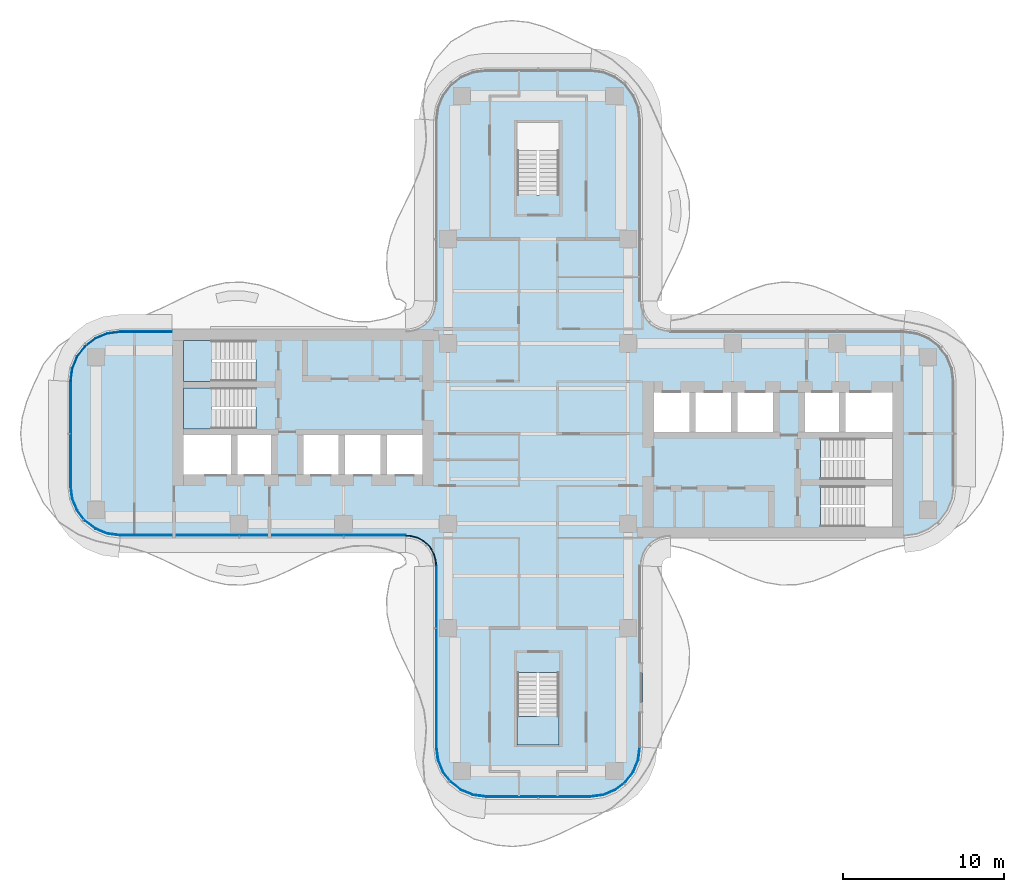
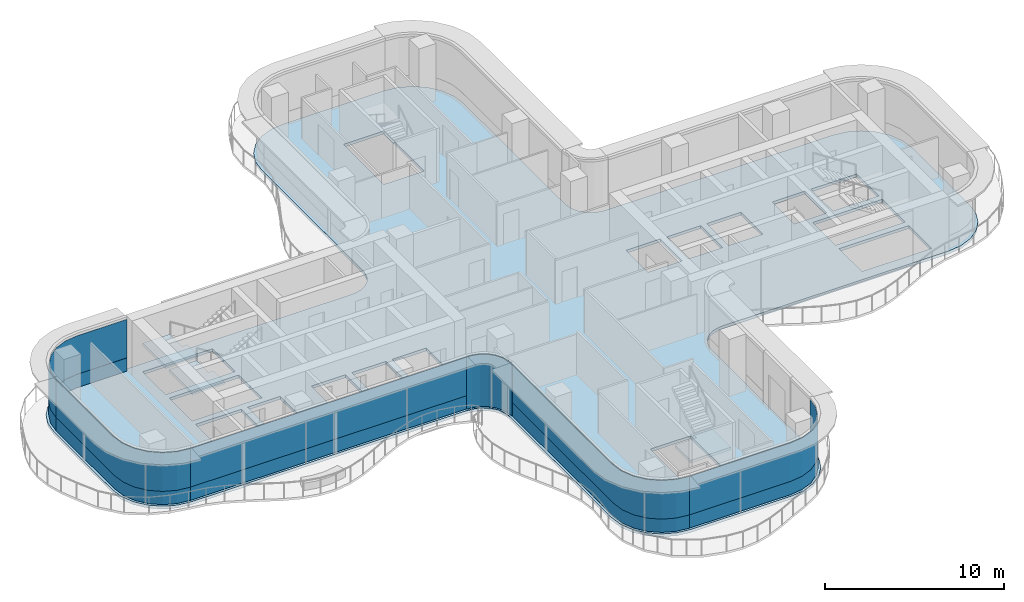
# One storey, part 8 of 16: 11 plates, 4 slabs, 9 elements without a shape of their own.
"""IFC4 building model written with IfcOpenShell, lengths in metres."""

import ifcopenshell
import ifcopenshell.guid

model = None  # the IFC model being written
_history = None  # IfcOwnerHistory: only IFC2X3 demands one
_inside = {}  # id of a spatial element -> (the spatial element, [elements in it])
_under = {}  # id of a project, library or spatial element -> (it, [spatial elements below it])
_declared = {}  # id of a project -> (the project, [libraries it declares])
_typed = {}  # id of a type object -> (the type object, [elements of that type])
_made_of = {}  # id of a material, layer set ... -> (it, [elements and type objects made of it])


def new_model(schema):
    """Start an empty IFC model of exactly this schema.

    Asked for "IFC4X3", IfcOpenShell would pick the latest addendum, in which some entities
    have other attributes; the version numbers below select the first issue.
    IFC2X3 requires an IfcOwnerHistory on every rooted entity: one is made here for all.
    """
    global model, _history
    if schema == "IFC4X3":
        model = ifcopenshell.file(schema_version=(4, 3, 0, 0))
    else:
        model = ifcopenshell.file(schema=schema)
    _inside.clear()
    _under.clear()
    _declared.clear()
    _typed.clear()
    _made_of.clear()
    _history = None
    if model.schema == "IFC2X3":
        org = make("IfcOrganization", Name="unknown")
        user = make(
            "IfcPersonAndOrganization",
            ThePerson=make("IfcPerson", FamilyName="unknown"),
            TheOrganization=org,
        )
        app = make(
            "IfcApplication",
            ApplicationDeveloper=org,
            Version="unknown",
            ApplicationFullName="unknown",
            ApplicationIdentifier="unknown",
        )
        _history = make(
            "IfcOwnerHistory",
            OwningUser=user,
            OwningApplication=app,
            ChangeAction="ADDED",
            CreationDate=0,
        )
    return model


def make(cls, **values):
    """One entity of the class cls with the attributes given. An attribute that is None is left unset."""
    return model.create_entity(
        cls, **{name: value for name, value in values.items() if value is not None}
    )


def rooted(cls, **values):
    """An entity with a GlobalId (a new one), such as an element, a storey or a relation."""
    return make(cls, GlobalId=ifcopenshell.guid.new(), OwnerHistory=_history, **values)


def si_unit(unit_type, name, prefix=None):
    """IfcSIUnit, for example si_unit("LENGTHUNIT", "METRE", prefix="MILLI")."""
    return make("IfcSIUnit", UnitType=unit_type, Prefix=prefix, Name=name)


def assignment(units):
    """IfcUnitAssignment: the units of a project."""
    return None if units is None else make("IfcUnitAssignment", Units=units)


def point(xyz):
    """IfcCartesianPoint."""
    return None if xyz is None else make("IfcCartesianPoint", Coordinates=xyz)


def direction(xyz):
    """IfcDirection."""
    return None if xyz is None else make("IfcDirection", DirectionRatios=xyz)


def frame(location, z_axis=None, x_axis=None):
    """IfcAxis2Placement3D, a coordinate frame: its origin and axes. An axis left out is left unset."""
    return make(
        "IfcAxis2Placement3D",
        Location=point(location),
        Axis=direction(z_axis),
        RefDirection=direction(x_axis),
    )


def origin():
    """The frame at (0, 0, 0) with its axes left unset."""
    return frame((0.0, 0.0, 0.0))


def place(relative_to, where):
    """IfcLocalPlacement: puts the frame where relative to a parent placement (None: the world)."""
    return make(
        "IfcLocalPlacement", PlacementRelTo=relative_to, RelativePlacement=where
    )


def context(
    kind, dimensions, precision=None, world=None, true_north=None, identifier=None
):
    """IfcGeometricRepresentationContext, for example the 3D "Model" context."""
    return make(
        "IfcGeometricRepresentationContext",
        ContextIdentifier=identifier,
        ContextType=kind,
        CoordinateSpaceDimension=dimensions,
        Precision=precision,
        WorldCoordinateSystem=world,
        TrueNorth=true_north,
    )


def subcontext(parent, identifier, kind, view, scale=None):
    """IfcGeometricRepresentationSubContext, for example "Body" below "Model"."""
    return make(
        "IfcGeometricRepresentationSubContext",
        ContextIdentifier=identifier,
        ContextType=kind,
        ParentContext=parent,
        TargetScale=scale,
        TargetView=view,
    )


def project(units=None, contexts=None):
    """IfcProject with its units and contexts."""
    return rooted(
        "IfcProject",
        Name="project",
        RepresentationContexts=contexts,
        UnitsInContext=assignment(units),
    )


def spatial(cls, under=None, at=None, **own):
    """A site, building, storey or space (cls), placed at a placement, below another one or the project."""
    s = rooted(cls, ObjectPlacement=at, **own)
    if under is not None:
        _under.setdefault(under.id(), (under, []))[1].append(s)
    return s


def polyline(points):
    """IfcPolyline through the points."""
    return make("IfcPolyline", Points=[point(p) for p in points])


def outline(outer, holes=None, kind="AREA"):
    """IfcArbitraryClosedProfileDef: a profile drawn as a closed curve; with holes, ...WithVoids."""
    if holes is None:
        return make("IfcArbitraryClosedProfileDef", ProfileType=kind, OuterCurve=outer)
    return make(
        "IfcArbitraryProfileDefWithVoids",
        ProfileType=kind,
        OuterCurve=outer,
        InnerCurves=holes,
    )


def extrude(swept, where, along, depth):
    """IfcExtrudedAreaSolid: the profile swept, set in the frame where, extruded along a direction by depth."""
    return make(
        "IfcExtrudedAreaSolid",
        SweptArea=swept,
        Position=where,
        ExtrudedDirection=direction(along),
        Depth=depth,
    )


def shape(context_of_items, identifier, shape_type, items):
    """IfcShapeRepresentation: the items that make up one representation, for example the "Body"."""
    return make(
        "IfcShapeRepresentation",
        ContextOfItems=context_of_items,
        RepresentationIdentifier=identifier,
        RepresentationType=shape_type,
        Items=items,
    )


def source(mapping_origin, context_of_items, identifier, shape_type, items):
    """IfcRepresentationMap: a shape defined once, which mapped items show again and again."""
    return make(
        "IfcRepresentationMap",
        MappingOrigin=mapping_origin,
        MappedRepresentation=shape(context_of_items, identifier, shape_type, items),
    )


def transform(
    local_origin,
    x_axis=None,
    y_axis=None,
    z_axis=None,
    scale=None,
    scale2=None,
    scale3=None,
    uniform=True,
):
    """IfcCartesianTransformationOperator3D, or its non-uniform kind. x_axis, y_axis, z_axis: its Axis1, 2, 3."""
    if uniform:
        return make(
            "IfcCartesianTransformationOperator3D",
            Axis1=direction(x_axis),
            Axis2=direction(y_axis),
            LocalOrigin=point(local_origin),
            Scale=scale,
            Axis3=direction(z_axis),
        )
    return make(
        "IfcCartesianTransformationOperator3DnonUniform",
        Axis1=direction(x_axis),
        Axis2=direction(y_axis),
        LocalOrigin=point(local_origin),
        Scale=scale,
        Axis3=direction(z_axis),
        Scale2=scale2,
        Scale3=scale3,
    )


def mapped(mapping_source, mapping_target):
    """IfcMappedItem: shows the shape of a source again, moved by a transform."""
    return make(
        "IfcMappedItem", MappingSource=mapping_source, MappingTarget=mapping_target
    )


def material(Name=None, Category=None):
    """IfcMaterial."""
    return make("IfcMaterial", Name=Name, Category=Category)


def layer(
    of_material, thickness, ventilated=None, Name=None, Category=None, Priority=None
):
    """IfcMaterialLayer: one layer of a wall or slab, of a material (None: an air gap)."""
    return make(
        "IfcMaterialLayer",
        Material=of_material,
        LayerThickness=thickness,
        IsVentilated=ventilated,
        Name=Name,
        Category=Category,
        Priority=Priority,
    )


def layer_set(layers, Name=None):
    """IfcMaterialLayerSet."""
    return make("IfcMaterialLayerSet", MaterialLayers=layers, LayerSetName=Name)


def made_of(thing, what):
    """Note that an element or type object is made of a material, layer set ...; save() writes the relation."""
    if what is not None:
        _made_of.setdefault(what.id(), (what, []))[1].append(thing)
    return thing


def type_object(cls, material=None, **own):
    """A type object (cls), such as IfcWallType, which elements share."""
    return made_of(rooted(cls, **own), material)


def element(
    cls,
    number,
    at=None,
    inside=None,
    cuts=None,
    type_object=None,
    material=None,
    context=None,
    identifier="Body",
    shape_type=None,
    held_by="IfcProductDefinitionShape",
    body=None,
    shapes=None,
    **own,
):
    """One element of the class cls, such as IfcWall. Its Tag is "e" and its number.

    at: its placement. inside: the storey or other place that contains it. cuts: it is an
    opening in that element (IfcRelVoidsElement). A single representation is given by context,
    identifier, shape_type and body (its items); several are given by shapes. held_by: the class
    of the entity that holds the representations. save() writes the other relations.
    """
    e = rooted(cls, Tag="e%d" % number, ObjectPlacement=at, **own)
    if body is not None:
        shapes = [shape(context, identifier, shape_type, body)]
    if shapes is not None:
        e.Representation = make(held_by, Representations=shapes)
    if inside is not None:
        _inside.setdefault(inside.id(), (inside, []))[1].append(e)
    if cuts is not None:
        rooted(
            "IfcRelVoidsElement", RelatingBuildingElement=cuts, RelatedOpeningElement=e
        )
    if type_object is not None:
        _typed.setdefault(type_object.id(), (type_object, []))[1].append(e)
    return made_of(e, material)


def aggregate(whole, parts):
    """IfcRelAggregates: a whole, such as a stair, and the parts it consists of."""
    return rooted("IfcRelAggregates", RelatingObject=whole, RelatedObjects=parts)


def save(model, path):
    """Write the relations noted so far, then the file.

    IfcRelAggregates (storeys below a building ...), IfcRelContainedInSpatialStructure (elements
    in a storey), IfcRelDefinesByType, IfcRelAssociatesMaterial and IfcRelDeclares: one each for
    every whole, place, type object, material and project.
    """
    for whole, parts in _under.values():
        aggregate(whole, parts)
    for where, things in _inside.values():
        rooted(
            "IfcRelContainedInSpatialStructure",
            RelatedElements=things,
            RelatingStructure=where,
        )
    for kind, things in _typed.values():
        rooted("IfcRelDefinesByType", RelatedObjects=things, RelatingType=kind)
    for what, things in _made_of.values():
        rooted("IfcRelAssociatesMaterial", RelatedObjects=things, RelatingMaterial=what)
    for by, libraries in _declared.values():
        rooted("IfcRelDeclares", RelatingContext=by, RelatedDefinitions=libraries)
    model.write(path)


model = new_model("IFC4")

# Units and contexts
model_context = context("Model", 3, precision=1e-05, world=origin(), true_north=direction((0.0, 1.0)))
body_context = subcontext(model_context, "Body", "Model", "MODEL_VIEW")
ifc_project = project(units=[si_unit("LENGTHUNIT", "METRE"), si_unit("AREAUNIT", "SQUARE_METRE"), si_unit("VOLUMEUNIT", "CUBIC_METRE"), si_unit("PLANEANGLEUNIT", "RADIAN"), si_unit("MASSUNIT", "GRAM", prefix="KILO")], contexts=[model_context])

# Site, building, storey
site_placement = place(None, origin())
site = spatial("IfcSite", under=ifc_project, at=site_placement, CompositionType="ELEMENT")
building_placement = place(site_placement, origin())
building = spatial("IfcBuilding", under=site, at=building_placement, Name="Trellis Farm Tower", CompositionType="ELEMENT")
storey_placement = place(building_placement, frame((0.0, 0.0, 251.89990234375)))
storey = spatial("IfcBuildingStorey", under=building, at=storey_placement, Name="L56", CompositionType="ELEMENT", Elevation=251.89990234375)

# Slab
ifc_material_1 = material(Name="Concrete C40/50", Category="concrete")
ifc_layer_1 = layer(ifc_material_1, 0.199951171875)
ifc_layer_set_1 = layer_set([ifc_layer_1], Name="Composite deck floor slab 200")
slab_type_1 = type_object("IfcSlabType", Name="Composite deck floor slab 200", PredefinedType="FLOOR", material=ifc_layer_set_1)
shared_shape_1 = source(origin(), body_context, "Body", "SweptSolid", [
    extrude(outline(polyline([(-26.84130859375, -6.389404296875), (-27.625, -6.064697265625), (-28.298095703125, -5.548095703125), (-28.814697265625, -4.875), (-29.139404296875, -4.09130859375), (-29.25, -3.25), (-29.25, 3.25), (-29.139404296875, 4.09130859375), (-28.814697265625, 4.875), (-28.298095703125, 5.548095703125), (-27.625, 6.064697265625), (-26.84130859375, 6.389404296875), (-26.0, 6.5), (-8.2314453125, 6.5), (-8.01953125, 6.513916015625), (-7.91552734375, 6.527587890625), (-7.508544921875, 6.63671875), (-7.144287109375, 6.846923828125), (-6.846923828125, 7.144287109375), (-6.63671875, 7.508544921875), (-6.527587890625, 7.91552734375), (-6.513916015625, 8.01953125), (-6.5, 8.2314453125), (-6.5, 19.5), (-6.389404296875, 20.34130859375), (-6.064697265625, 21.125), (-5.548095703125, 21.798095703125), (-4.875, 22.314697265625), (-4.09130859375, 22.639404296875), (-3.25, 22.75), (3.25, 22.75), (4.09130859375, 22.639404296875), (4.875, 22.314697265625), (5.548095703125, 21.798095703125), (6.064697265625, 21.125), (6.389404296875, 20.34130859375), (6.5, 19.5), (6.5, 8.2314453125), (6.513916015625, 8.01953125), (6.527587890625, 7.91552734375), (6.63671875, 7.508544921875), (6.846923828125, 7.144287109375), (7.144287109375, 6.846923828125), (7.508544921875, 6.63671875), (7.91552734375, 6.527587890625), (8.01953125, 6.513916015625), (8.2314453125, 6.5), (22.75, 6.5), (23.59130859375, 6.389404296875), (24.375, 6.064697265625), (25.048095703125, 5.548095703125), (25.564697265625, 4.875), (25.889404296875, 4.09130859375), (26.0, 3.25), (26.0, -3.25), (25.889404296875, -4.09130859375), (25.564697265625, -4.875), (25.048095703125, -5.548095703125), (24.375, -6.064697265625), (23.59130859375, -6.389404296875), (22.75, -6.5), (8.2314453125, -6.5), (8.01953125, -6.513916015625), (7.91552734375, -6.527587890625), (7.508544921875, -6.63671875), (7.144287109375, -6.846923828125), (6.846923828125, -7.144287109375), (6.63671875, -7.508544921875), (6.527587890625, -7.91552734375), (6.513916015625, -8.01953125), (6.5, -8.2314453125), (6.5, -19.5), (6.389404296875, -20.34130859375), (6.064697265625, -21.125), (5.548095703125, -21.798095703125), (4.875, -22.314697265625), (4.09130859375, -22.639404296875), (3.25, -22.75), (-3.25, -22.75), (-4.09130859375, -22.639404296875), (-4.875, -22.314697265625), (-5.548095703125, -21.798095703125), (-6.064697265625, -21.125), (-6.389404296875, -20.34130859375), (-6.5, -19.5), (-6.5, -8.2314453125), (-6.513916015625, -8.01953125), (-6.527587890625, -7.91552734375), (-6.63671875, -7.508544921875), (-6.846923828125, -7.144287109375), (-7.144287109375, -6.846923828125), (-7.508544921875, -6.63671875), (-7.91552734375, -6.527587890625), (-8.01953125, -6.513916015625), (-8.2314453125, -6.5), (-26.0, -6.5), (-26.84130859375, -6.389404296875)]), holes=[polyline([(-22.050048828125, -0.10009765625), (-22.050048828125, -2.550048828125), (-19.10009765625, -2.550048828125), (-19.10009765625, -0.10009765625), (-22.050048828125, -0.10009765625)]), polyline([(-18.699951171875, -0.10009765625), (-18.699951171875, -2.550048828125), (-16.60009765625, -2.550048828125), (-16.60009765625, -0.10009765625), (-18.699951171875, -0.10009765625)]), polyline([(-14.60009765625, -0.10009765625), (-14.60009765625, -2.550048828125), (-12.39990234375, -2.550048828125), (-12.39990234375, -0.10009765625), (-14.60009765625, -0.10009765625)]), polyline([(-12.0, -0.10009765625), (-12.0, -2.550048828125), (-9.800048828125, -2.550048828125), (-9.800048828125, -0.10009765625), (-12.0, -0.10009765625)]), polyline([(-9.39990234375, -0.10009765625), (-9.39990234375, -2.550048828125), (-7.199951171875, -2.550048828125), (-7.199951171875, -0.10009765625), (-9.39990234375, -0.10009765625)]), polyline([(-17.56201171875, 1.64990234375), (-17.56201171875, 2.85009765625), (-22.050048828125, 2.85009765625), (-22.050048828125, 0.300048828125), (-17.56005859375, 0.300048828125), (-17.56005859375, 1.5), (-17.550048828125, 1.5), (-17.550048828125, 1.64990234375), (-17.56201171875, 1.64990234375)]), polyline([(-17.56201171875, 4.60009765625), (-17.56201171875, 5.800048828125), (-22.050048828125, 5.800048828125), (-22.050048828125, 3.25), (-17.56005859375, 3.25), (-17.56005859375, 4.449951171875), (-17.550048828125, 4.449951171875), (-17.550048828125, 4.60009765625), (-17.56201171875, 4.60009765625)]), polyline([(0.10009765625, 14.862060546875), (1.300048828125, 14.862060546875), (1.300048828125, 19.35009765625), (-1.300048828125, 19.35009765625), (-1.300048828125, 14.860107421875), (-0.10009765625, 14.860107421875), (-0.10009765625, 14.85009765625), (0.10009765625, 14.85009765625), (0.10009765625, 14.862060546875)]), polyline([(-0.10009765625, -14.862060546875), (-1.300048828125, -14.862060546875), (-1.300048828125, -19.35009765625), (1.300048828125, -19.35009765625), (1.300048828125, -14.860107421875), (0.10009765625, -14.860107421875), (0.10009765625, -14.85009765625), (-0.10009765625, -14.85009765625), (-0.10009765625, -14.862060546875)]), polyline([(17.56201171875, -4.60009765625), (17.56201171875, -5.800048828125), (22.050048828125, -5.800048828125), (22.050048828125, -3.25), (17.56005859375, -3.25), (17.56005859375, -4.449951171875), (17.550048828125, -4.449951171875), (17.550048828125, -4.60009765625), (17.56201171875, -4.60009765625)]), polyline([(17.56201171875, -1.64990234375), (17.56201171875, -2.85009765625), (22.050048828125, -2.85009765625), (22.050048828125, -0.300048828125), (17.56005859375, -0.300048828125), (17.56005859375, -1.5), (17.550048828125, -1.5), (17.550048828125, -1.64990234375), (17.56201171875, -1.64990234375)]), polyline([(9.39990234375, 0.10009765625), (9.39990234375, 2.550048828125), (7.199951171875, 2.550048828125), (7.199951171875, 0.10009765625), (9.39990234375, 0.10009765625)]), polyline([(12.0, 0.10009765625), (12.0, 2.550048828125), (9.800048828125, 2.550048828125), (9.800048828125, 0.10009765625), (12.0, 0.10009765625)]), polyline([(14.60009765625, 0.10009765625), (14.60009765625, 2.550048828125), (12.39990234375, 2.550048828125), (12.39990234375, 0.10009765625), (14.60009765625, 0.10009765625)]), polyline([(18.699951171875, 0.10009765625), (18.699951171875, 2.550048828125), (16.60009765625, 2.550048828125), (16.60009765625, 0.10009765625), (18.699951171875, 0.10009765625)]), polyline([(22.050048828125, 0.10009765625), (22.050048828125, 2.550048828125), (19.10009765625, 2.550048828125), (19.10009765625, 0.10009765625), (22.050048828125, 0.10009765625)])]), origin(), (0.0, 0.0, 1.0), 0.199951171875),
])
slab_1_placement = place(storey_placement, frame((0.0, 0.0, -0.199951171875)))
element("IfcSlab", 1, at=slab_1_placement, inside=storey, type_object=slab_type_1, Name="Floor slab", PredefinedType="FLOOR", context=body_context, shape_type="MappedRepresentation", body=[
    mapped(shared_shape_1, transform((0.0, 0.0, 0.0))),
])

# Stair, slab
ifc_material_2 = material(Name="Concrete C50/60", Category="concrete")
stair_type = type_object("IfcStairType", Name="CORE EXIT STAIR 22 RISERS 177 MM", PredefinedType="HALF_TURN_STAIR", material=ifc_material_2)
placement_1 = place(storey_placement, origin())
stair_1 = element("IfcStair", 2, at=placement_1, inside=storey, type_object=stair_type, Name="Exit stair S", PredefinedType="HALF_TURN_STAIR")
ifc_layer_2 = layer(ifc_material_2, 0.18994140625)
ifc_layer_set_2 = layer_set([ifc_layer_2], Name="CORE STAIR LANDING 190 CONCRETE C50/60")
slab_type_2 = type_object("IfcSlabType", Name="CORE STAIR LANDING 190 CONCRETE C50/60", PredefinedType="LANDING", material=ifc_layer_set_2)
shared_shape_2 = source(origin(), body_context, "Body", "SweptSolid", [
    extrude(outline(polyline([(1.300048828125, -19.35009765625), (-1.300048828125, -19.35009765625), (-1.300048828125, -17.60009765625), (-1.300048828125, -17.590087890625), (-0.10009765625, -17.590087890625), (-0.10009765625, -17.60009765625), (0.10009765625, -17.60009765625), (0.10009765625, -17.27197265625), (1.300048828125, -17.27197265625), (1.300048828125, -17.60009765625), (1.300048828125, -19.35009765625)])), origin(), (0.0, 0.0, 1.0), 0.190185546875),
])
placement_2 = place(storey_placement, frame((0.0, 0.0, 1.760009765625)))
slab_2 = element("IfcSlab", 3, at=placement_2, type_object=slab_type_2, Name="STS landing 1", PredefinedType="LANDING", context=body_context, shape_type="MappedRepresentation", body=[
    mapped(shared_shape_2, transform((0.0, 0.0, 0.0))),
])
aggregate(stair_1, [slab_2])

stair_2 = element("IfcStair", 4, at=placement_1, inside=storey, type_object=stair_type, Name="Exit stair W1", PredefinedType="HALF_TURN_STAIR")
shared_shape_3 = source(origin(), body_context, "Body", "SweptSolid", [
    extrude(outline(polyline([(-19.971923828125, 4.449951171875), (-19.971923828125, 3.25), (-20.300048828125, 3.25), (-22.050048828125, 3.25), (-22.050048828125, 5.800048828125), (-20.300048828125, 5.800048828125), (-20.2900390625, 5.800048828125), (-20.2900390625, 4.60009765625), (-20.300048828125, 4.60009765625), (-20.300048828125, 4.449951171875), (-19.971923828125, 4.449951171875)])), origin(), (0.0, 0.0, 1.0), 0.190185546875),
])
slab_3 = element("IfcSlab", 5, at=placement_2, type_object=slab_type_2, Name="STW1 landing 1", PredefinedType="LANDING", context=body_context, shape_type="MappedRepresentation", body=[
    mapped(shared_shape_3, transform((0.0, 0.0, 0.0))),
])
aggregate(stair_2, [slab_3])

stair_3 = element("IfcStair", 6, at=placement_1, inside=storey, type_object=stair_type, Name="Exit stair W2", PredefinedType="HALF_TURN_STAIR")
shared_shape_4 = source(origin(), body_context, "Body", "SweptSolid", [
    extrude(outline(polyline([(-19.971923828125, 1.5), (-19.971923828125, 0.300048828125), (-20.300048828125, 0.300048828125), (-22.050048828125, 0.300048828125), (-22.050048828125, 2.85009765625), (-20.300048828125, 2.85009765625), (-20.2900390625, 2.85009765625), (-20.2900390625, 1.64990234375), (-20.300048828125, 1.64990234375), (-20.300048828125, 1.5), (-19.971923828125, 1.5)])), origin(), (0.0, 0.0, 1.0), 0.190185546875),
])
slab_4 = element("IfcSlab", 7, at=placement_2, type_object=slab_type_2, Name="STW2 landing 1", PredefinedType="LANDING", context=body_context, shape_type="MappedRepresentation", body=[
    mapped(shared_shape_4, transform((0.0, 0.0, 0.0))),
])
aggregate(stair_3, [slab_4])

# Curtain wall, plate
ifc_material_3 = material(Name="Aluminium and glass curtain wall", Category="aluminium")
ifc_layer_3 = layer(ifc_material_3, 0.166015625)
ifc_layer_set_3 = layer_set([ifc_layer_3], Name="WINTER GARDEN CURTAIN WALL CW3")
curtain_wall_type_1 = type_object("IfcCurtainWallType", Name="WINTER GARDEN CURTAIN WALL CW3", PredefinedType="NOTDEFINED", material=ifc_layer_set_3)
curtain_wall_1 = element("IfcCurtainWall", 8, at=placement_1, inside=storey, type_object=curtain_wall_type_1, Name="CW3 001", PredefinedType="NOTDEFINED")
ifc_material_4 = material(Name="Clear insulated glass", Category="glass")
ifc_layer_4 = layer(ifc_material_4, 0.0458984375)
ifc_layer_set_4 = layer_set([ifc_layer_4], Name="CW3 GLASS PANEL 46")
plate_type_1 = type_object("IfcPlateType", Name="CW3 GLASS PANEL 46", PredefinedType="CURTAIN_PANEL", material=ifc_layer_set_4)
shared_shape_5 = source(origin(), body_context, "Body", "SweptSolid", [
    extrude(outline(polyline([(-8.2275390625, -6.3798828125), (-8.0078125, -6.394287109375), (-7.89208984375, -6.40966796875), (-7.462158203125, -6.52490234375), (-7.070556640625, -6.7509765625), (-6.7509765625, -7.070556640625), (-6.52490234375, -7.462158203125), (-6.40966796875, -7.89208984375), (-6.394287109375, -8.0078125), (-6.3798828125, -8.2275390625), (-6.333984375, -8.22607421875), (-6.3486328125, -8.003173828125), (-6.364501953125, -7.883056640625), (-6.48193359375, -7.4443359375), (-6.714111328125, -7.04248046875), (-7.04248046875, -6.714111328125), (-7.4443359375, -6.48193359375), (-7.883056640625, -6.364501953125), (-8.003173828125, -6.3486328125), (-8.22607421875, -6.333984375), (-8.2275390625, -6.3798828125)])), origin(), (0.0, 0.0, 1.0), 3.550048828125),
])
plate_1 = element("IfcPlate", 9, at=placement_1, type_object=plate_type_1, Name="PL3 001", PredefinedType="CURTAIN_PANEL", context=body_context, shape_type="MappedRepresentation", body=[
    mapped(shared_shape_5, transform((0.0, 0.0, 0.0))),
])
aggregate(curtain_wall_1, [plate_1])

# Curtain wall, plates
ifc_layer_5 = layer(ifc_material_3, 0.18994140625)
ifc_layer_set_5 = layer_set([ifc_layer_5], Name="RIBBON CURTAIN WALL CW1")
curtain_wall_type_2 = type_object("IfcCurtainWallType", Name="RIBBON CURTAIN WALL CW1", PredefinedType="NOTDEFINED", material=ifc_layer_set_5)
curtain_wall_2 = element("IfcCurtainWall", 10, at=placement_1, inside=storey, type_object=curtain_wall_type_2, Name="CW1 001", PredefinedType="NOTDEFINED")
ifc_layer_6 = layer(ifc_material_4, 0.0400390625)
ifc_layer_set_6 = layer_set([ifc_layer_6], Name="CW1 GLASS PANEL 40")
plate_type_2 = type_object("IfcPlateType", Name="CW1 GLASS PANEL 40", PredefinedType="CURTAIN_PANEL", material=ifc_layer_set_6)
shared_shape_6 = source(origin(), body_context, "Body", "SweptSolid", [
    extrude(outline(polyline([(-25.990234375, -6.35009765625), (-8.2265625, -6.35009765625), (-8.22509765625, -6.31005859375), (-25.987548828125, -6.31005859375), (-25.990234375, -6.35009765625)])), origin(), (0.0, 0.0, 1.0), 2.619873046875),
])
placement_3 = place(storey_placement, frame((0.0, 0.0, 0.900146484375)))
plate_2 = element("IfcPlate", 11, at=placement_3, type_object=plate_type_2, Name="PL1 001", PredefinedType="CURTAIN_PANEL", context=body_context, shape_type="MappedRepresentation", body=[
    mapped(shared_shape_6, transform((0.0, 0.0, 0.0))),
])
ifc_material_5 = material(Name="Sandstone faced insulated panel", Category="masonry")
ifc_layer_7 = layer(ifc_material_5, 0.050048828125)
ifc_layer_set_7 = layer_set([ifc_layer_7], Name="CW1 STONE SPANDREL PANEL 50")
plate_type_3 = type_object("IfcPlateType", Name="CW1 STONE SPANDREL PANEL 50", PredefinedType="CURTAIN_PANEL", material=ifc_layer_set_7)
shared_shape_7 = source(origin(), body_context, "Body", "SweptSolid", [
    extrude(outline(polyline([(-25.990234375, -6.35009765625), (-8.2265625, -6.35009765625), (-8.224853515625, -6.300048828125), (-25.98681640625, -6.300048828125), (-25.990234375, -6.35009765625)])), origin(), (0.0, 0.0, 1.0), 0.900146484375),
])
plate_3 = element("IfcPlate", 12, at=placement_1, type_object=plate_type_3, Name="PS1 001", PredefinedType="CURTAIN_PANEL", context=body_context, shape_type="MappedRepresentation", body=[
    mapped(shared_shape_7, transform((0.0, 0.0, 0.0))),
])
aggregate(curtain_wall_2, [plate_2, plate_3])

curtain_wall_3 = element("IfcCurtainWall", 13, at=placement_1, inside=storey, type_object=curtain_wall_type_2, Name="CW1 012", PredefinedType="NOTDEFINED")
shared_shape_8 = source(origin(), body_context, "Body", "SweptSolid", [
    extrude(outline(polyline([(-22.780029296875, 6.35009765625), (-25.990234375, 6.35009765625), (-26.802001953125, 6.2431640625), (-27.54931640625, 5.93359375), (-28.191162109375, 5.441162109375), (-28.68359375, 4.79931640625), (-28.9931640625, 4.052001953125), (-29.10009765625, 3.240234375), (-29.06005859375, 3.237548828125), (-28.9541015625, 4.04150390625), (-28.648681640625, 4.779296875), (-28.16259765625, 5.41259765625), (-27.529296875, 5.898681640625), (-26.79150390625, 6.2041015625), (-25.987548828125, 6.31005859375), (-22.780029296875, 6.31005859375), (-22.780029296875, 6.35009765625)])), origin(), (0.0, 0.0, 1.0), 2.619873046875),
])
plate_4 = element("IfcPlate", 14, at=placement_3, type_object=plate_type_2, Name="PL1 012", PredefinedType="CURTAIN_PANEL", context=body_context, shape_type="MappedRepresentation", body=[
    mapped(shared_shape_8, transform((0.0, 0.0, 0.0))),
])
shared_shape_9 = source(origin(), body_context, "Body", "SweptSolid", [
    extrude(outline(polyline([(-22.780029296875, 6.35009765625), (-25.990234375, 6.35009765625), (-26.802001953125, 6.2431640625), (-27.54931640625, 5.93359375), (-28.191162109375, 5.441162109375), (-28.68359375, 4.79931640625), (-28.9931640625, 4.052001953125), (-29.10009765625, 3.240234375), (-29.050048828125, 3.23681640625), (-28.9443359375, 4.0390625), (-28.639892578125, 4.774169921875), (-28.155517578125, 5.405517578125), (-27.524169921875, 5.889892578125), (-26.7890625, 6.1943359375), (-25.98681640625, 6.300048828125), (-22.780029296875, 6.300048828125), (-22.780029296875, 6.35009765625)])), origin(), (0.0, 0.0, 1.0), 0.900146484375),
])
plate_5 = element("IfcPlate", 15, at=placement_1, type_object=plate_type_3, Name="PS1 012", PredefinedType="CURTAIN_PANEL", context=body_context, shape_type="MappedRepresentation", body=[
    mapped(shared_shape_9, transform((0.0, 0.0, 0.0))),
])
aggregate(curtain_wall_3, [plate_4, plate_5])

curtain_wall_4 = element("IfcCurtainWall", 16, at=placement_1, inside=storey, type_object=curtain_wall_type_2, Name="CW1 013", PredefinedType="NOTDEFINED")
shared_shape_10 = source(origin(), body_context, "Body", "SweptSolid", [
    extrude(outline(polyline([(-29.10009765625, 3.240234375), (-29.10009765625, -3.240234375), (-28.9931640625, -4.052001953125), (-28.68359375, -4.79931640625), (-28.191162109375, -5.441162109375), (-27.54931640625, -5.93359375), (-26.802001953125, -6.2431640625), (-25.990234375, -6.35009765625), (-25.987548828125, -6.31005859375), (-26.79150390625, -6.2041015625), (-27.529296875, -5.898681640625), (-28.16259765625, -5.41259765625), (-28.648681640625, -4.779296875), (-28.9541015625, -4.04150390625), (-29.06005859375, -3.237548828125), (-29.06005859375, 3.237548828125), (-29.10009765625, 3.240234375)])), origin(), (0.0, 0.0, 1.0), 2.619873046875),
])
plate_6 = element("IfcPlate", 17, at=placement_3, type_object=plate_type_2, Name="PL1 013", PredefinedType="CURTAIN_PANEL", context=body_context, shape_type="MappedRepresentation", body=[
    mapped(shared_shape_10, transform((0.0, 0.0, 0.0))),
])
shared_shape_11 = source(origin(), body_context, "Body", "SweptSolid", [
    extrude(outline(polyline([(-29.10009765625, 3.240234375), (-29.10009765625, -3.240234375), (-28.9931640625, -4.052001953125), (-28.68359375, -4.79931640625), (-28.191162109375, -5.441162109375), (-27.54931640625, -5.93359375), (-26.802001953125, -6.2431640625), (-25.990234375, -6.35009765625), (-25.98681640625, -6.300048828125), (-26.7890625, -6.1943359375), (-27.524169921875, -5.889892578125), (-28.155517578125, -5.405517578125), (-28.639892578125, -4.774169921875), (-28.9443359375, -4.0390625), (-29.050048828125, -3.23681640625), (-29.050048828125, 3.23681640625), (-29.10009765625, 3.240234375)])), origin(), (0.0, 0.0, 1.0), 0.900146484375),
])
plate_7 = element("IfcPlate", 18, at=placement_1, type_object=plate_type_3, Name="PS1 013", PredefinedType="CURTAIN_PANEL", context=body_context, shape_type="MappedRepresentation", body=[
    mapped(shared_shape_11, transform((0.0, 0.0, 0.0))),
])
aggregate(curtain_wall_4, [plate_6, plate_7])

curtain_wall_5 = element("IfcCurtainWall", 19, at=placement_1, inside=storey, type_object=curtain_wall_type_2, Name="CW1 002", PredefinedType="NOTDEFINED")
shared_shape_12 = source(origin(), body_context, "Body", "SweptSolid", [
    extrude(outline(polyline([(-6.35009765625, -8.2265625), (-6.35009765625, -19.490234375), (-6.2431640625, -20.302001953125), (-5.93359375, -21.04931640625), (-5.441162109375, -21.691162109375), (-4.79931640625, -22.18359375), (-4.052001953125, -22.4931640625), (-3.240234375, -22.60009765625), (-3.237548828125, -22.56005859375), (-4.04150390625, -22.4541015625), (-4.779296875, -22.148681640625), (-5.41259765625, -21.66259765625), (-5.898681640625, -21.029296875), (-6.2041015625, -20.29150390625), (-6.31005859375, -19.487548828125), (-6.31005859375, -8.22509765625), (-6.35009765625, -8.2265625)])), origin(), (0.0, 0.0, 1.0), 2.619873046875),
])
plate_8 = element("IfcPlate", 20, at=placement_3, type_object=plate_type_2, Name="PL1 002", PredefinedType="CURTAIN_PANEL", context=body_context, shape_type="MappedRepresentation", body=[
    mapped(shared_shape_12, transform((0.0, 0.0, 0.0))),
])
shared_shape_13 = source(origin(), body_context, "Body", "SweptSolid", [
    extrude(outline(polyline([(-6.35009765625, -8.2265625), (-6.35009765625, -19.490234375), (-6.2431640625, -20.302001953125), (-5.93359375, -21.04931640625), (-5.441162109375, -21.691162109375), (-4.79931640625, -22.18359375), (-4.052001953125, -22.4931640625), (-3.240234375, -22.60009765625), (-3.23681640625, -22.550048828125), (-4.0390625, -22.4443359375), (-4.774169921875, -22.139892578125), (-5.405517578125, -21.655517578125), (-5.889892578125, -21.024169921875), (-6.1943359375, -20.2890625), (-6.300048828125, -19.48681640625), (-6.300048828125, -8.224853515625), (-6.35009765625, -8.2265625)])), origin(), (0.0, 0.0, 1.0), 0.900146484375),
])
plate_9 = element("IfcPlate", 21, at=placement_1, type_object=plate_type_3, Name="PS1 002", PredefinedType="CURTAIN_PANEL", context=body_context, shape_type="MappedRepresentation", body=[
    mapped(shared_shape_13, transform((0.0, 0.0, 0.0))),
])
aggregate(curtain_wall_5, [plate_8, plate_9])

curtain_wall_6 = element("IfcCurtainWall", 22, at=placement_1, inside=storey, type_object=curtain_wall_type_2, Name="CW1 003", PredefinedType="NOTDEFINED")
shared_shape_14 = source(origin(), body_context, "Body", "SweptSolid", [
    extrude(outline(polyline([(-3.240234375, -22.60009765625), (3.240234375, -22.60009765625), (4.052001953125, -22.4931640625), (4.79931640625, -22.18359375), (5.441162109375, -21.691162109375), (5.93359375, -21.04931640625), (6.2431640625, -20.302001953125), (6.35009765625, -19.490234375), (6.31005859375, -19.487548828125), (6.2041015625, -20.29150390625), (5.898681640625, -21.029296875), (5.41259765625, -21.66259765625), (4.779296875, -22.148681640625), (4.04150390625, -22.4541015625), (3.237548828125, -22.56005859375), (-3.237548828125, -22.56005859375), (-3.240234375, -22.60009765625)])), origin(), (0.0, 0.0, 1.0), 2.619873046875),
])
plate_10 = element("IfcPlate", 23, at=placement_3, type_object=plate_type_2, Name="PL1 003", PredefinedType="CURTAIN_PANEL", context=body_context, shape_type="MappedRepresentation", body=[
    mapped(shared_shape_14, transform((0.0, 0.0, 0.0))),
])
shared_shape_15 = source(origin(), body_context, "Body", "SweptSolid", [
    extrude(outline(polyline([(-3.240234375, -22.60009765625), (3.240234375, -22.60009765625), (4.052001953125, -22.4931640625), (4.79931640625, -22.18359375), (5.441162109375, -21.691162109375), (5.93359375, -21.04931640625), (6.2431640625, -20.302001953125), (6.35009765625, -19.490234375), (6.300048828125, -19.48681640625), (6.1943359375, -20.2890625), (5.889892578125, -21.024169921875), (5.405517578125, -21.655517578125), (4.774169921875, -22.139892578125), (4.0390625, -22.4443359375), (3.23681640625, -22.550048828125), (-3.23681640625, -22.550048828125), (-3.240234375, -22.60009765625)])), origin(), (0.0, 0.0, 1.0), 0.900146484375),
])
plate_11 = element("IfcPlate", 24, at=placement_1, type_object=plate_type_3, Name="PS1 003", PredefinedType="CURTAIN_PANEL", context=body_context, shape_type="MappedRepresentation", body=[
    mapped(shared_shape_15, transform((0.0, 0.0, 0.0))),
])
aggregate(curtain_wall_6, [plate_10, plate_11])

save(model, "model.ifc")
